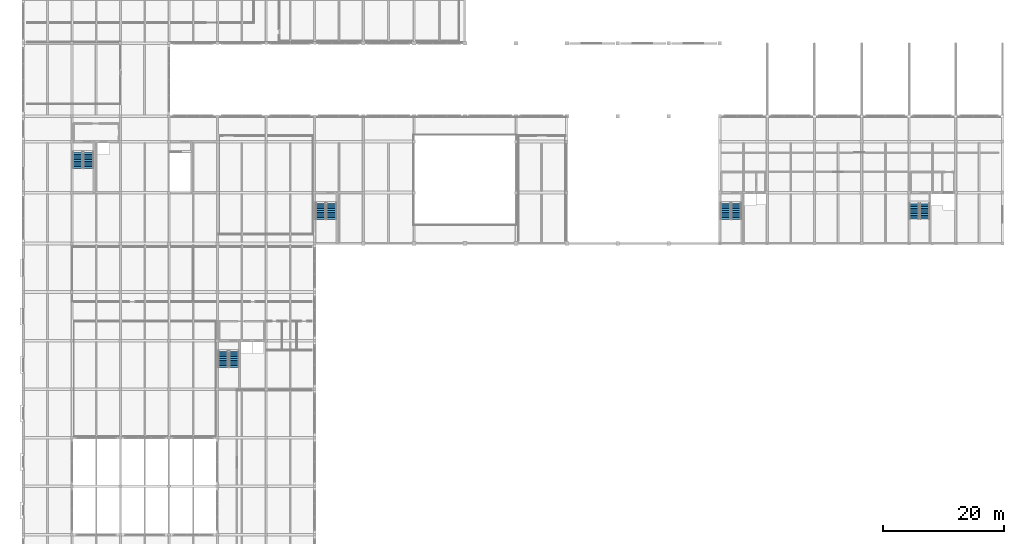
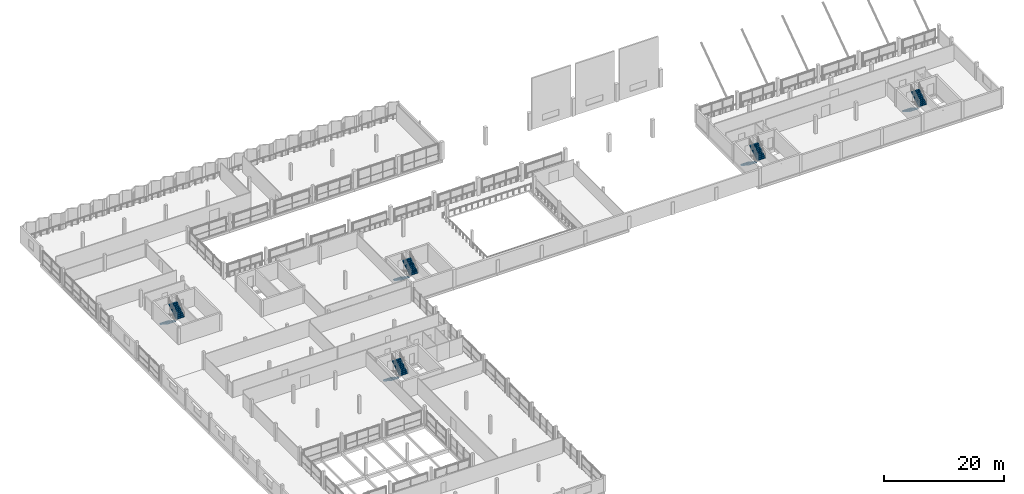
# One storey, part 43 of 51: 10 stair flights, 5 elements without a shape of their own.
"""IFC4 building model written with IfcOpenShell, lengths in metres."""

from ifc_helpers import new_model, si_unit, direction, frame, origin, place, context, subcontext, project, spatial, polyline, outline, extrude, material, type_object, element, aggregate, save


model = new_model("IFC4")

# Units and contexts
model_context = context("Model", 3, precision=1e-05, world=origin(), true_north=direction((0.0, 1.0)))
body_context = subcontext(model_context, "Body", "Model", "MODEL_VIEW")
ifc_project = project(units=[si_unit("LENGTHUNIT", "METRE"), si_unit("AREAUNIT", "SQUARE_METRE"), si_unit("VOLUMEUNIT", "CUBIC_METRE"), si_unit("PLANEANGLEUNIT", "RADIAN"), si_unit("MASSUNIT", "GRAM", prefix="KILO")], contexts=[model_context])

# Site, building, storey
site_placement = place(None, origin())
site = spatial("IfcSite", under=ifc_project, at=site_placement, CompositionType="ELEMENT")
building_placement = place(site_placement, origin())
building = spatial("IfcBuilding", under=site, at=building_placement, Name="Vharandega Faculty of Natural Sciences", CompositionType="ELEMENT")
storey_placement = place(building_placement, frame((0.0, 0.0, 14.39990234375)))
storey = spatial("IfcBuildingStorey", under=building, at=storey_placement, Name="L03", CompositionType="ELEMENT", Elevation=14.39990234375)

# Stair, stair flights
ifc_material_1 = material(Name="Concrete C40/50", Category="concrete")
stair_type_1 = type_object("IfcStairType", Name="Escape Dog-Leg Stair W160 H360", PredefinedType="HALF_TURN_STAIR", material=ifc_material_1)
stair_1_placement = place(storey_placement, origin())
stair_1 = element("IfcStair", 1, at=stair_1_placement, inside=storey, type_object=stair_type_1, Name="L03 Escape Stair ST2", PredefinedType="HALF_TURN_STAIR")
ifc_material_2 = material(Name="Concrete C40/50", Category="concrete")
stair_flight_type_1 = type_object("IfcStairFlightType", Name="Precast Stair Flight W160 H360", PredefinedType="STRAIGHT", material=ifc_material_2)
stair_flight_1_placement = place(storey_placement, frame((146.860107421875, 70.659912109375, 0.0), z_axis=(0.0, 0.0, 1.0), x_axis=(0.0, -1.0, 0.0)))
stair_flight_1 = element("IfcStairFlight", 2, at=stair_flight_1_placement, type_object=stair_flight_type_1, Name="ST2 flight 1", NumberOfRisers=10, NumberOfTreads=9, PredefinedType="STRAIGHT", RiserHeight=0.18, TreadLength=0.29, context=body_context, shape_type="SweptSolid", body=[
    extrude(outline(polyline([(0.0, 0.0), (0.0, 0.179931640625), (0.2900390625, 0.179931640625), (0.2900390625, 0.360107421875), (0.580078125, 0.360107421875), (0.580078125, 0.5400390625), (0.8701171875, 0.5400390625), (0.8701171875, 0.719970703125), (1.159912109375, 0.719970703125), (1.159912109375, 0.89990234375), (1.449951171875, 0.89990234375), (1.449951171875, 1.080078125), (1.739990234375, 1.080078125), (1.739990234375, 1.260009765625), (2.030029296875, 1.260009765625), (2.030029296875, 1.43994140625), (2.320068359375, 1.43994140625), (2.320068359375, 1.6201171875), (2.610107421875, 1.6201171875), (2.610107421875, 1.800048828125), (2.610107421875, 1.443603515625), (0.2841796875, 0.0), (0.0, 0.0)])), frame((0.0, 0.800048828125, 0.0), z_axis=(0.0, -1.0, 0.0), x_axis=(1.0, 0.0, 0.0)), (0.0, 0.0, 1.0), 1.60009765625),
])
stair_flight_2_placement = place(storey_placement, frame((148.580078125, 68.050048828125, 1.800048828125), z_axis=(0.0, 0.0, 1.0), x_axis=(0.0, 1.0, 0.0)))
stair_flight_2 = element("IfcStairFlight", 3, at=stair_flight_2_placement, type_object=stair_flight_type_1, Name="ST2 flight 2", NumberOfRisers=10, NumberOfTreads=9, PredefinedType="STRAIGHT", RiserHeight=0.18, TreadLength=0.29, context=body_context, shape_type="SweptSolid", body=[
    extrude(outline(polyline([(0.0, 0.0), (0.0, 0.179931640625), (0.2900390625, 0.179931640625), (0.2900390625, 0.360107421875), (0.580078125, 0.360107421875), (0.580078125, 0.5400390625), (0.8701171875, 0.5400390625), (0.8701171875, 0.719970703125), (1.159912109375, 0.719970703125), (1.159912109375, 0.89990234375), (1.449951171875, 0.89990234375), (1.449951171875, 1.080078125), (1.739990234375, 1.080078125), (1.739990234375, 1.260009765625), (2.030029296875, 1.260009765625), (2.030029296875, 1.43994140625), (2.320068359375, 1.43994140625), (2.320068359375, 1.6201171875), (2.610107421875, 1.6201171875), (2.610107421875, 1.800048828125), (2.610107421875, 1.443603515625), (0.2841796875, 0.0), (0.0, 0.0)])), frame((0.0, 0.800048828125, 0.0), z_axis=(0.0, -1.0, 0.0), x_axis=(1.0, 0.0, 0.0)), (0.0, 0.0, 1.0), 1.60009765625),
])
aggregate(stair_1, [stair_flight_1, stair_flight_2])

ifc_material_3 = material(Name="Concrete C40/50", Category="concrete")
stair_type_2 = type_object("IfcStairType", Name="Escape Dog-Leg Stair W165 H360", PredefinedType="HALF_TURN_STAIR", material=ifc_material_3)
stair_2_placement = place(storey_placement, origin())
stair_2 = element("IfcStair", 4, at=stair_2_placement, inside=storey, type_object=stair_type_2, Name="L03 Escape Stair ST1", PredefinedType="HALF_TURN_STAIR")
ifc_material_4 = material(Name="Concrete C40/50", Category="concrete")
stair_flight_type_2 = type_object("IfcStairFlightType", Name="Precast Stair Flight W165 H360", PredefinedType="STRAIGHT", material=ifc_material_4)
stair_flight_3_placement = place(storey_placement, frame((115.764892578125, 70.610107421875, 0.0), z_axis=(0.0, 0.0, 1.0), x_axis=(0.0, -1.0, 0.0)))
stair_flight_3 = element("IfcStairFlight", 5, at=stair_flight_3_placement, type_object=stair_flight_type_2, Name="ST1 flight 1", NumberOfRisers=10, NumberOfTreads=9, PredefinedType="STRAIGHT", RiserHeight=0.18, TreadLength=0.29, context=body_context, shape_type="SweptSolid", body=[
    extrude(outline(polyline([(0.0, 0.0), (0.0, 0.179931640625), (0.2900390625, 0.179931640625), (0.2900390625, 0.360107421875), (0.580078125, 0.360107421875), (0.580078125, 0.5400390625), (0.8701171875, 0.5400390625), (0.8701171875, 0.719970703125), (1.159912109375, 0.719970703125), (1.159912109375, 0.89990234375), (1.449951171875, 0.89990234375), (1.449951171875, 1.080078125), (1.739990234375, 1.080078125), (1.739990234375, 1.260009765625), (2.030029296875, 1.260009765625), (2.030029296875, 1.43994140625), (2.320068359375, 1.43994140625), (2.320068359375, 1.6201171875), (2.610107421875, 1.6201171875), (2.610107421875, 1.800048828125), (2.610107421875, 1.443603515625), (0.2841796875, 0.0), (0.0, 0.0)])), frame((0.0, 0.824951171875, 0.0), z_axis=(0.0, -1.0, 0.0), x_axis=(1.0, 0.0, 0.0)), (0.0, 0.0, 1.0), 1.64990234375),
])
stair_flight_4_placement = place(storey_placement, frame((117.534912109375, 68.0, 1.800048828125), z_axis=(0.0, 0.0, 1.0), x_axis=(0.0, 1.0, 0.0)))
stair_flight_4 = element("IfcStairFlight", 6, at=stair_flight_4_placement, type_object=stair_flight_type_2, Name="ST1 flight 2", NumberOfRisers=10, NumberOfTreads=9, PredefinedType="STRAIGHT", RiserHeight=0.18, TreadLength=0.29, context=body_context, shape_type="SweptSolid", body=[
    extrude(outline(polyline([(0.0, 0.0), (0.0, 0.179931640625), (0.2900390625, 0.179931640625), (0.2900390625, 0.360107421875), (0.580078125, 0.360107421875), (0.580078125, 0.5400390625), (0.8701171875, 0.5400390625), (0.8701171875, 0.719970703125), (1.159912109375, 0.719970703125), (1.159912109375, 0.89990234375), (1.449951171875, 0.89990234375), (1.449951171875, 1.080078125), (1.739990234375, 1.080078125), (1.739990234375, 1.260009765625), (2.030029296875, 1.260009765625), (2.030029296875, 1.43994140625), (2.320068359375, 1.43994140625), (2.320068359375, 1.6201171875), (2.610107421875, 1.6201171875), (2.610107421875, 1.800048828125), (2.610107421875, 1.443603515625), (0.2841796875, 0.0), (0.0, 0.0)])), frame((0.0, 0.824951171875, 0.0), z_axis=(0.0, -1.0, 0.0), x_axis=(1.0, 0.0, 0.0)), (0.0, 0.0, 1.0), 1.64990234375),
])
aggregate(stair_2, [stair_flight_3, stair_flight_4])

stair_3_placement = place(storey_placement, origin())
stair_3 = element("IfcStair", 7, at=stair_3_placement, inside=storey, type_object=stair_type_2, Name="L03 Escape Stair ST3", PredefinedType="HALF_TURN_STAIR")
stair_flight_5_placement = place(storey_placement, frame((32.965087890625, 46.2099609375, 0.0), z_axis=(0.0, 0.0, 1.0), x_axis=(0.0, -1.0, 0.0)))
stair_flight_5 = element("IfcStairFlight", 8, at=stair_flight_5_placement, type_object=stair_flight_type_2, Name="ST3 flight 1", NumberOfRisers=10, NumberOfTreads=9, PredefinedType="STRAIGHT", RiserHeight=0.18, TreadLength=0.29, context=body_context, shape_type="SweptSolid", body=[
    extrude(outline(polyline([(0.0, 0.0), (0.0, 0.179931640625), (0.2900390625, 0.179931640625), (0.2900390625, 0.360107421875), (0.580078125, 0.360107421875), (0.580078125, 0.5400390625), (0.8701171875, 0.5400390625), (0.8701171875, 0.719970703125), (1.159912109375, 0.719970703125), (1.159912109375, 0.89990234375), (1.449951171875, 0.89990234375), (1.449951171875, 1.080078125), (1.739990234375, 1.080078125), (1.739990234375, 1.260009765625), (2.030029296875, 1.260009765625), (2.030029296875, 1.43994140625), (2.320068359375, 1.43994140625), (2.320068359375, 1.6201171875), (2.610107421875, 1.6201171875), (2.610107421875, 1.800048828125), (2.610107421875, 1.443603515625), (0.2841796875, 0.0), (0.0, 0.0)])), frame((0.0, 0.824951171875, 0.0), z_axis=(0.0, -1.0, 0.0), x_axis=(1.0, 0.0, 0.0)), (0.0, 0.0, 1.0), 1.64990234375),
])
stair_flight_6_placement = place(storey_placement, frame((34.735107421875, 43.60009765625, 1.800048828125), z_axis=(0.0, 0.0, 1.0), x_axis=(0.0, 1.0, 0.0)))
stair_flight_6 = element("IfcStairFlight", 9, at=stair_flight_6_placement, type_object=stair_flight_type_2, Name="ST3 flight 2", NumberOfRisers=10, NumberOfTreads=9, PredefinedType="STRAIGHT", RiserHeight=0.18, TreadLength=0.29, context=body_context, shape_type="SweptSolid", body=[
    extrude(outline(polyline([(0.0, 0.0), (0.0, 0.179931640625), (0.2900390625, 0.179931640625), (0.2900390625, 0.360107421875), (0.580078125, 0.360107421875), (0.580078125, 0.5400390625), (0.8701171875, 0.5400390625), (0.8701171875, 0.719970703125), (1.159912109375, 0.719970703125), (1.159912109375, 0.89990234375), (1.449951171875, 0.89990234375), (1.449951171875, 1.080078125), (1.739990234375, 1.080078125), (1.739990234375, 1.260009765625), (2.030029296875, 1.260009765625), (2.030029296875, 1.43994140625), (2.320068359375, 1.43994140625), (2.320068359375, 1.6201171875), (2.610107421875, 1.6201171875), (2.610107421875, 1.800048828125), (2.610107421875, 1.443603515625), (0.2841796875, 0.0), (0.0, 0.0)])), frame((0.0, 0.824951171875, 0.0), z_axis=(0.0, -1.0, 0.0), x_axis=(1.0, 0.0, 0.0)), (0.0, 0.0, 1.0), 1.64990234375),
])
aggregate(stair_3, [stair_flight_5, stair_flight_6])

stair_4_placement = place(storey_placement, origin())
stair_4 = element("IfcStair", 10, at=stair_4_placement, inside=storey, type_object=stair_type_2, Name="L03 Escape Stair ST4", PredefinedType="HALF_TURN_STAIR")
stair_flight_7_placement = place(storey_placement, frame((8.965087890625, 79.010009765625, 0.0), z_axis=(0.0, 0.0, 1.0), x_axis=(0.0, -1.0, 0.0)))
stair_flight_7 = element("IfcStairFlight", 11, at=stair_flight_7_placement, type_object=stair_flight_type_2, Name="ST4 flight 1", NumberOfRisers=10, NumberOfTreads=9, PredefinedType="STRAIGHT", RiserHeight=0.18, TreadLength=0.29, context=body_context, shape_type="SweptSolid", body=[
    extrude(outline(polyline([(0.0, 0.0), (0.0, 0.179931640625), (0.2900390625, 0.179931640625), (0.2900390625, 0.360107421875), (0.580078125, 0.360107421875), (0.580078125, 0.5400390625), (0.8701171875, 0.5400390625), (0.8701171875, 0.719970703125), (1.159912109375, 0.719970703125), (1.159912109375, 0.89990234375), (1.449951171875, 0.89990234375), (1.449951171875, 1.080078125), (1.739990234375, 1.080078125), (1.739990234375, 1.260009765625), (2.030029296875, 1.260009765625), (2.030029296875, 1.43994140625), (2.320068359375, 1.43994140625), (2.320068359375, 1.6201171875), (2.610107421875, 1.6201171875), (2.610107421875, 1.800048828125), (2.610107421875, 1.443603515625), (0.2841796875, 0.0), (0.0, 0.0)])), frame((0.0, 0.824951171875, 0.0), z_axis=(0.0, -1.0, 0.0), x_axis=(1.0, 0.0, 0.0)), (0.0, 0.0, 1.0), 1.64990234375),
])
stair_flight_8_placement = place(storey_placement, frame((10.735107421875, 76.39990234375, 1.800048828125), z_axis=(0.0, 0.0, 1.0), x_axis=(0.0, 1.0, 0.0)))
stair_flight_8 = element("IfcStairFlight", 12, at=stair_flight_8_placement, type_object=stair_flight_type_2, Name="ST4 flight 2", NumberOfRisers=10, NumberOfTreads=9, PredefinedType="STRAIGHT", RiserHeight=0.18, TreadLength=0.29, context=body_context, shape_type="SweptSolid", body=[
    extrude(outline(polyline([(0.0, 0.0), (0.0, 0.179931640625), (0.2900390625, 0.179931640625), (0.2900390625, 0.360107421875), (0.580078125, 0.360107421875), (0.580078125, 0.5400390625), (0.8701171875, 0.5400390625), (0.8701171875, 0.719970703125), (1.159912109375, 0.719970703125), (1.159912109375, 0.89990234375), (1.449951171875, 0.89990234375), (1.449951171875, 1.080078125), (1.739990234375, 1.080078125), (1.739990234375, 1.260009765625), (2.030029296875, 1.260009765625), (2.030029296875, 1.43994140625), (2.320068359375, 1.43994140625), (2.320068359375, 1.6201171875), (2.610107421875, 1.6201171875), (2.610107421875, 1.800048828125), (2.610107421875, 1.443603515625), (0.2841796875, 0.0), (0.0, 0.0)])), frame((0.0, 0.824951171875, 0.0), z_axis=(0.0, -1.0, 0.0), x_axis=(1.0, 0.0, 0.0)), (0.0, 0.0, 1.0), 1.64990234375),
])
aggregate(stair_4, [stair_flight_7, stair_flight_8])

stair_5_placement = place(storey_placement, origin())
stair_5 = element("IfcStair", 13, at=stair_5_placement, inside=storey, type_object=stair_type_2, Name="L03 Escape Stair ST5", PredefinedType="HALF_TURN_STAIR")
stair_flight_9_placement = place(storey_placement, frame((49.02490234375, 70.610107421875, 0.0), z_axis=(0.0, 0.0, 1.0), x_axis=(0.0, -1.0, 0.0)))
stair_flight_9 = element("IfcStairFlight", 14, at=stair_flight_9_placement, type_object=stair_flight_type_2, Name="ST5 flight 1", NumberOfRisers=10, NumberOfTreads=9, PredefinedType="STRAIGHT", RiserHeight=0.18, TreadLength=0.29, context=body_context, shape_type="SweptSolid", body=[
    extrude(outline(polyline([(0.0, 0.0), (0.0, 0.179931640625), (0.2900390625, 0.179931640625), (0.2900390625, 0.360107421875), (0.580078125, 0.360107421875), (0.580078125, 0.5400390625), (0.8701171875, 0.5400390625), (0.8701171875, 0.719970703125), (1.159912109375, 0.719970703125), (1.159912109375, 0.89990234375), (1.449951171875, 0.89990234375), (1.449951171875, 1.080078125), (1.739990234375, 1.080078125), (1.739990234375, 1.260009765625), (2.030029296875, 1.260009765625), (2.030029296875, 1.43994140625), (2.320068359375, 1.43994140625), (2.320068359375, 1.6201171875), (2.610107421875, 1.6201171875), (2.610107421875, 1.800048828125), (2.610107421875, 1.443603515625), (0.2841796875, 0.0), (0.0, 0.0)])), frame((0.0, 0.824951171875, 0.0), z_axis=(0.0, -1.0, 0.0), x_axis=(1.0, 0.0, 0.0)), (0.0, 0.0, 1.0), 1.64990234375),
])
stair_flight_10_placement = place(storey_placement, frame((50.794921875, 68.0, 1.800048828125), z_axis=(0.0, 0.0, 1.0), x_axis=(0.0, 1.0, 0.0)))
stair_flight_10 = element("IfcStairFlight", 15, at=stair_flight_10_placement, type_object=stair_flight_type_2, Name="ST5 flight 2", NumberOfRisers=10, NumberOfTreads=9, PredefinedType="STRAIGHT", RiserHeight=0.18, TreadLength=0.29, context=body_context, shape_type="SweptSolid", body=[
    extrude(outline(polyline([(0.0, 0.0), (0.0, 0.179931640625), (0.2900390625, 0.179931640625), (0.2900390625, 0.360107421875), (0.580078125, 0.360107421875), (0.580078125, 0.5400390625), (0.8701171875, 0.5400390625), (0.8701171875, 0.719970703125), (1.159912109375, 0.719970703125), (1.159912109375, 0.89990234375), (1.449951171875, 0.89990234375), (1.449951171875, 1.080078125), (1.739990234375, 1.080078125), (1.739990234375, 1.260009765625), (2.030029296875, 1.260009765625), (2.030029296875, 1.43994140625), (2.320068359375, 1.43994140625), (2.320068359375, 1.6201171875), (2.610107421875, 1.6201171875), (2.610107421875, 1.800048828125), (2.610107421875, 1.443603515625), (0.2841796875, 0.0), (0.0, 0.0)])), frame((0.0, 0.824951171875, 0.0), z_axis=(0.0, -1.0, 0.0), x_axis=(1.0, 0.0, 0.0)), (0.0, 0.0, 1.0), 1.64990234375),
])
aggregate(stair_5, [stair_flight_9, stair_flight_10])

save(model, "model.ifc")
